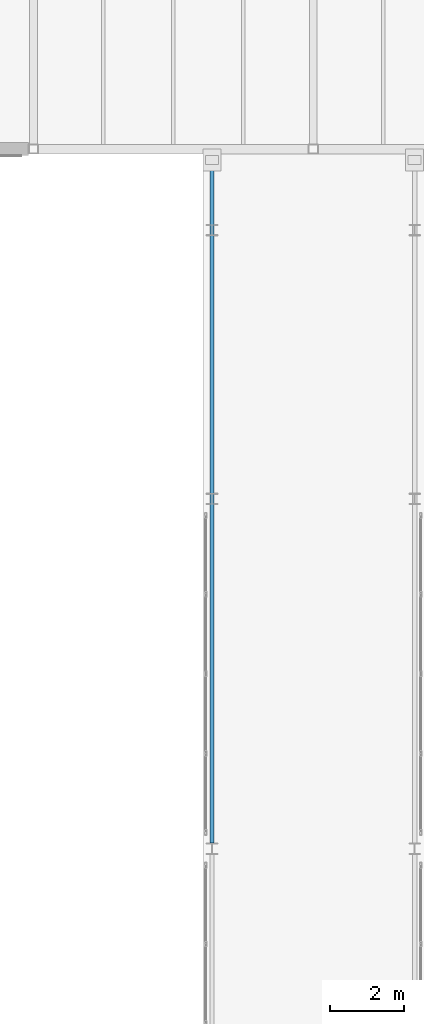
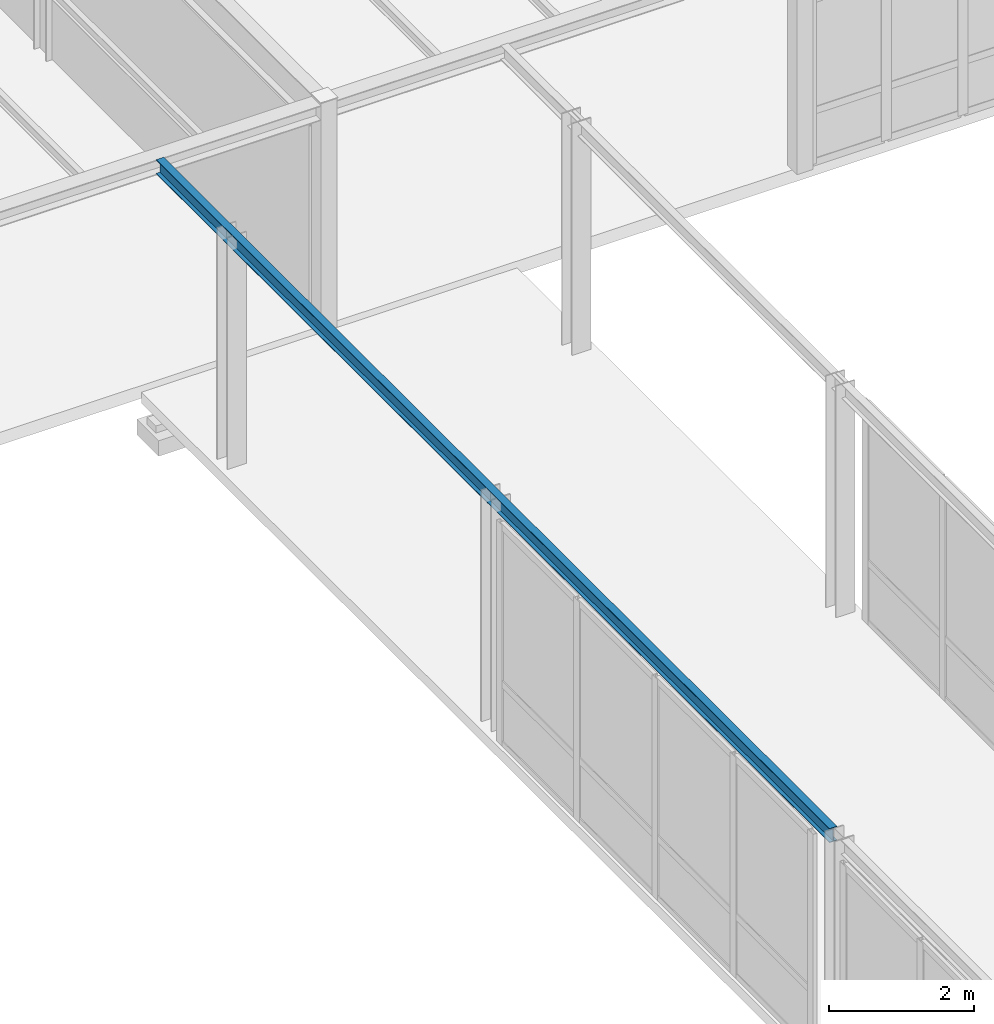
# One storey, part 43 of 189: 1 beam.
"""IFC4 building model written with IfcOpenShell, lengths in metres."""

import ifcopenshell
import ifcopenshell.guid

model = None  # the IFC model being written
_history = None  # IfcOwnerHistory: only IFC2X3 demands one
_inside = {}  # id of a spatial element -> (the spatial element, [elements in it])
_under = {}  # id of a project, library or spatial element -> (it, [spatial elements below it])
_declared = {}  # id of a project -> (the project, [libraries it declares])
_typed = {}  # id of a type object -> (the type object, [elements of that type])
_made_of = {}  # id of a material, layer set ... -> (it, [elements and type objects made of it])


def new_model(schema):
    """Start an empty IFC model of exactly this schema.

    Asked for "IFC4X3", IfcOpenShell would pick the latest addendum, in which some entities
    have other attributes; the version numbers below select the first issue.
    IFC2X3 requires an IfcOwnerHistory on every rooted entity: one is made here for all.
    """
    global model, _history
    if schema == "IFC4X3":
        model = ifcopenshell.file(schema_version=(4, 3, 0, 0))
    else:
        model = ifcopenshell.file(schema=schema)
    _inside.clear()
    _under.clear()
    _declared.clear()
    _typed.clear()
    _made_of.clear()
    _history = None
    if model.schema == "IFC2X3":
        org = make("IfcOrganization", Name="unknown")
        user = make(
            "IfcPersonAndOrganization",
            ThePerson=make("IfcPerson", FamilyName="unknown"),
            TheOrganization=org,
        )
        app = make(
            "IfcApplication",
            ApplicationDeveloper=org,
            Version="unknown",
            ApplicationFullName="unknown",
            ApplicationIdentifier="unknown",
        )
        _history = make(
            "IfcOwnerHistory",
            OwningUser=user,
            OwningApplication=app,
            ChangeAction="ADDED",
            CreationDate=0,
        )
    return model


def make(cls, **values):
    """One entity of the class cls with the attributes given. An attribute that is None is left unset."""
    return model.create_entity(
        cls, **{name: value for name, value in values.items() if value is not None}
    )


def rooted(cls, **values):
    """An entity with a GlobalId (a new one), such as an element, a storey or a relation."""
    return make(cls, GlobalId=ifcopenshell.guid.new(), OwnerHistory=_history, **values)


def si_unit(unit_type, name, prefix=None):
    """IfcSIUnit, for example si_unit("LENGTHUNIT", "METRE", prefix="MILLI")."""
    return make("IfcSIUnit", UnitType=unit_type, Prefix=prefix, Name=name)


def assignment(units):
    """IfcUnitAssignment: the units of a project."""
    return None if units is None else make("IfcUnitAssignment", Units=units)


def point(xyz):
    """IfcCartesianPoint."""
    return None if xyz is None else make("IfcCartesianPoint", Coordinates=xyz)


def direction(xyz):
    """IfcDirection."""
    return None if xyz is None else make("IfcDirection", DirectionRatios=xyz)


def frame(location, z_axis=None, x_axis=None):
    """IfcAxis2Placement3D, a coordinate frame: its origin and axes. An axis left out is left unset."""
    return make(
        "IfcAxis2Placement3D",
        Location=point(location),
        Axis=direction(z_axis),
        RefDirection=direction(x_axis),
    )


def frame_2d(location, x_axis=None):
    """IfcAxis2Placement2D, a coordinate frame in the plane: its origin and x axis."""
    return make(
        "IfcAxis2Placement2D", Location=point(location), RefDirection=direction(x_axis)
    )


def origin():
    """The frame at (0, 0, 0) with its axes left unset."""
    return frame((0.0, 0.0, 0.0))


def origin_2d():
    """The frame at (0, 0) in the plane with its x axis left unset."""
    return frame_2d((0.0, 0.0))


def place(relative_to, where):
    """IfcLocalPlacement: puts the frame where relative to a parent placement (None: the world)."""
    return make(
        "IfcLocalPlacement", PlacementRelTo=relative_to, RelativePlacement=where
    )


def context(
    kind, dimensions, precision=None, world=None, true_north=None, identifier=None
):
    """IfcGeometricRepresentationContext, for example the 3D "Model" context."""
    return make(
        "IfcGeometricRepresentationContext",
        ContextIdentifier=identifier,
        ContextType=kind,
        CoordinateSpaceDimension=dimensions,
        Precision=precision,
        WorldCoordinateSystem=world,
        TrueNorth=true_north,
    )


def subcontext(parent, identifier, kind, view, scale=None):
    """IfcGeometricRepresentationSubContext, for example "Body" below "Model"."""
    return make(
        "IfcGeometricRepresentationSubContext",
        ContextIdentifier=identifier,
        ContextType=kind,
        ParentContext=parent,
        TargetScale=scale,
        TargetView=view,
    )


def project(units=None, contexts=None):
    """IfcProject with its units and contexts."""
    return rooted(
        "IfcProject",
        Name="project",
        RepresentationContexts=contexts,
        UnitsInContext=assignment(units),
    )


def spatial(cls, under=None, at=None, **own):
    """A site, building, storey or space (cls), placed at a placement, below another one or the project."""
    s = rooted(cls, ObjectPlacement=at, **own)
    if under is not None:
        _under.setdefault(under.id(), (under, []))[1].append(s)
    return s


def profile(cls, at=None, kind="AREA", **sizes):
    """A parametric profile (cls). Its sizes go by their IFC names, for example OverallWidth=200.0."""
    return make(cls, ProfileType=kind, Position=at, **sizes)


def i_section(**sizes):
    """IfcIShapeProfileDef."""
    return profile("IfcIShapeProfileDef", **sizes)


def extrude(swept, where, along, depth):
    """IfcExtrudedAreaSolid: the profile swept, set in the frame where, extruded along a direction by depth."""
    return make(
        "IfcExtrudedAreaSolid",
        SweptArea=swept,
        Position=where,
        ExtrudedDirection=direction(along),
        Depth=depth,
    )


def shape(context_of_items, identifier, shape_type, items):
    """IfcShapeRepresentation: the items that make up one representation, for example the "Body"."""
    return make(
        "IfcShapeRepresentation",
        ContextOfItems=context_of_items,
        RepresentationIdentifier=identifier,
        RepresentationType=shape_type,
        Items=items,
    )


def material(Name=None, Category=None):
    """IfcMaterial."""
    return make("IfcMaterial", Name=Name, Category=Category)


def material_profile(
    of_material, cross_section, Name=None, Category=None, Priority=None
):
    """IfcMaterialProfile: a cross section and its material."""
    return make(
        "IfcMaterialProfile",
        Name=Name,
        Material=of_material,
        Profile=cross_section,
        Priority=Priority,
        Category=Category,
    )


def profile_set(profiles, Name=None, composite=None):
    """IfcMaterialProfileSet."""
    return make(
        "IfcMaterialProfileSet",
        Name=Name,
        MaterialProfiles=profiles,
        CompositeProfile=composite,
    )


def made_of(thing, what):
    """Note that an element or type object is made of a material, layer set ...; save() writes the relation."""
    if what is not None:
        _made_of.setdefault(what.id(), (what, []))[1].append(thing)
    return thing


def type_object(cls, material=None, **own):
    """A type object (cls), such as IfcWallType, which elements share."""
    return made_of(rooted(cls, **own), material)


def element(
    cls,
    number,
    at=None,
    inside=None,
    cuts=None,
    type_object=None,
    material=None,
    context=None,
    identifier="Body",
    shape_type=None,
    held_by="IfcProductDefinitionShape",
    body=None,
    shapes=None,
    **own,
):
    """One element of the class cls, such as IfcWall. Its Tag is "e" and its number.

    at: its placement. inside: the storey or other place that contains it. cuts: it is an
    opening in that element (IfcRelVoidsElement). A single representation is given by context,
    identifier, shape_type and body (its items); several are given by shapes. held_by: the class
    of the entity that holds the representations. save() writes the other relations.
    """
    e = rooted(cls, Tag="e%d" % number, ObjectPlacement=at, **own)
    if body is not None:
        shapes = [shape(context, identifier, shape_type, body)]
    if shapes is not None:
        e.Representation = make(held_by, Representations=shapes)
    if inside is not None:
        _inside.setdefault(inside.id(), (inside, []))[1].append(e)
    if cuts is not None:
        rooted(
            "IfcRelVoidsElement", RelatingBuildingElement=cuts, RelatedOpeningElement=e
        )
    if type_object is not None:
        _typed.setdefault(type_object.id(), (type_object, []))[1].append(e)
    return made_of(e, material)


def aggregate(whole, parts):
    """IfcRelAggregates: a whole, such as a stair, and the parts it consists of."""
    return rooted("IfcRelAggregates", RelatingObject=whole, RelatedObjects=parts)


def save(model, path):
    """Write the relations noted so far, then the file.

    IfcRelAggregates (storeys below a building ...), IfcRelContainedInSpatialStructure (elements
    in a storey), IfcRelDefinesByType, IfcRelAssociatesMaterial and IfcRelDeclares: one each for
    every whole, place, type object, material and project.
    """
    for whole, parts in _under.values():
        aggregate(whole, parts)
    for where, things in _inside.values():
        rooted(
            "IfcRelContainedInSpatialStructure",
            RelatedElements=things,
            RelatingStructure=where,
        )
    for kind, things in _typed.values():
        rooted("IfcRelDefinesByType", RelatedObjects=things, RelatingType=kind)
    for what, things in _made_of.values():
        rooted("IfcRelAssociatesMaterial", RelatedObjects=things, RelatingMaterial=what)
    for by, libraries in _declared.values():
        rooted("IfcRelDeclares", RelatingContext=by, RelatedDefinitions=libraries)
    model.write(path)


model = new_model("IFC4")

# Units and contexts
model_context = context("Model", 3, precision=1e-05, world=origin(), true_north=direction((0.0, 1.0)))
body_context = subcontext(model_context, "Body", "Model", "MODEL_VIEW")
ifc_project = project(units=[si_unit("LENGTHUNIT", "METRE"), si_unit("AREAUNIT", "SQUARE_METRE"), si_unit("VOLUMEUNIT", "CUBIC_METRE"), si_unit("PLANEANGLEUNIT", "RADIAN"), si_unit("MASSUNIT", "GRAM", prefix="KILO")], contexts=[model_context])

# Site, building, storey
site_placement = place(None, origin())
site = spatial("IfcSite", under=ifc_project, at=site_placement, CompositionType="ELEMENT")
building_placement = place(site_placement, origin())
building = spatial("IfcBuilding", under=site, at=building_placement, Name="Montecoro Central Library", CompositionType="ELEMENT")
storey_placement = place(building_placement, frame((0.0, 0.0, 9.179931640625)))
storey = spatial("IfcBuildingStorey", under=building, at=storey_placement, Name="L02", CompositionType="ELEMENT", Elevation=9.179931640625)

# Beam
ifc_material = material(Name="Steel S355", Category="steel")
ifc_material_profile = material_profile(ifc_material, i_section(OverallWidth=0.1201171875, OverallDepth=0.239990234375, WebThickness=0.006103515625, FlangeThickness=0.009765625, at=origin_2d()), Name="IPE 240")
ifc_profile_set = profile_set([ifc_material_profile], Name="Steel S355")
beam_type = type_object("IfcBeamType", Name="BM-SP-IPE240", PredefinedType="SPANDREL", material=ifc_profile_set)
beam_placement = place(storey_placement, frame((25.050048828125, 54.56005859375, 3.7880859375), z_axis=(0.0, 1.0, 0.0), x_axis=(-1.0, 0.0, 0.0)))
element("IfcBeam", 1, at=beam_placement, inside=storey, type_object=beam_type, Name="BR-W-ROOF-BM-W2", PredefinedType="SPANDREL", context=body_context, shape_type="SweptSolid", body=[
    extrude(i_section(OverallWidth=0.1201171875, OverallDepth=0.239990234375, WebThickness=0.006103515625, FlangeThickness=0.009765625, at=origin_2d()), origin(), (0.0, 0.0, 1.0), 18.619873046875),
])

save(model, "model.ifc")
